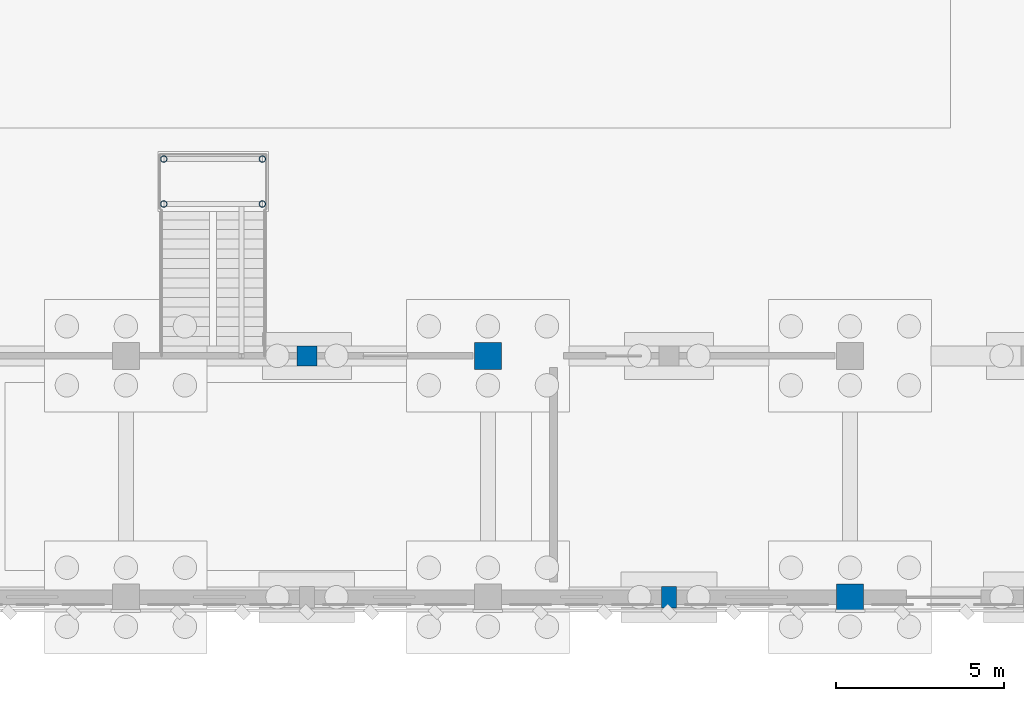
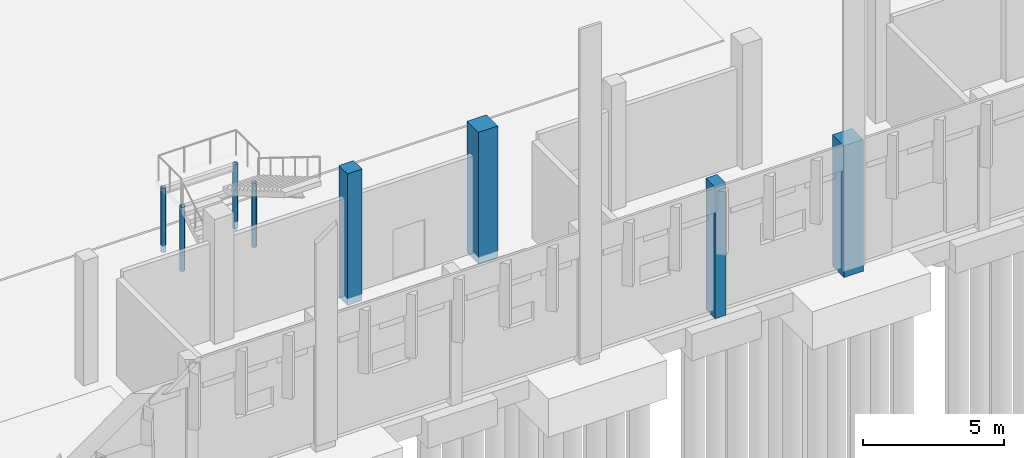
# One storey, part 14 of 109: 8 columns.
"""IFC4 building model written with IfcOpenShell, lengths in metres."""

from ifc_helpers import new_model, si_unit, direction, frame, origin, origin_2d, place, context, subcontext, project, spatial, rectangle, hollow_circle, extrude, material, material_profile, profile_set, type_object, element, save


model = new_model("IFC4")

# Units and contexts
model_context = context("Model", 3, precision=1e-05, world=origin(), true_north=direction((0.0, 1.0)))
body_context = subcontext(model_context, "Body", "Model", "MODEL_VIEW")
ifc_project = project(units=[si_unit("LENGTHUNIT", "METRE"), si_unit("AREAUNIT", "SQUARE_METRE"), si_unit("VOLUMEUNIT", "CUBIC_METRE"), si_unit("PLANEANGLEUNIT", "RADIAN"), si_unit("MASSUNIT", "GRAM", prefix="KILO")], contexts=[model_context])

# Site, building, storey
site_placement = place(None, origin())
site = spatial("IfcSite", under=ifc_project, at=site_placement, CompositionType="ELEMENT")
building_placement = place(site_placement, origin())
building = spatial("IfcBuilding", under=site, at=building_placement, Name="Lusvemor Sports Hall", CompositionType="ELEMENT")
storey_placement = place(building_placement, origin())
storey = spatial("IfcBuildingStorey", under=building, at=storey_placement, Name="L00", CompositionType="ELEMENT", Elevation=0.0)

# Columns
ifc_material_1 = material(Name="Concrete C40/50", Category="concrete")
ifc_material_profile_1 = material_profile(ifc_material_1, rectangle(XDim=0.800048828125, YDim=0.800048828125, at=origin_2d()), Name="RC800x800")
ifc_profile_set_1 = profile_set([ifc_material_profile_1], Name="Concrete C40/50")
column_type_1 = type_object("IfcColumnType", Name="COL_HALL_W", PredefinedType="COLUMN", material=ifc_profile_set_1)
for number, where, z_axis, x_axis, name in (
    (1, (43.199951171875, 7.199951171875, -0.300048828125), (0.0, 0.0, 1.0), (1.0, 0.0, 0.0), "Column 5/B (L00)"),
    (2, (54.0, 0.0, -0.300048828125), (0.0, 0.0, 1.0), (1.0, 0.0, 0.0), "Column 6/A (L00)"),
):
    element("IfcColumn", number, at=place(storey_placement, frame(where, z_axis=z_axis, x_axis=x_axis)), inside=storey, type_object=column_type_1, Name=name, PredefinedType="COLUMN", context=body_context, shape_type="SweptSolid", body=[
        extrude(rectangle(XDim=0.800048828125, YDim=0.800048828125, at=origin_2d()), origin(), (0.0, 0.0, 1.0), 5.699951171875),
    ])
ifc_material_2 = material(Name="Steel S355", Category="steel")
ifc_material_profile_2 = material_profile(ifc_material_2, hollow_circle(Radius=0.096923828125, WallThickness=0.010009765625, at=origin_2d()), Name="CHS193.7x10.0")
ifc_profile_set_2 = profile_set([ifc_material_profile_2], Name="Steel S355")
column_type_2 = type_object("IfcColumnType", Name="COL_STAIR_POST", PredefinedType="COLUMN", material=ifc_profile_set_2)
for number, where, z_axis, x_axis, name in (
    (3, (33.530029296875, 11.72998046875, -0.300048828125), (0.0, 0.0, 1.0), (1.0, 0.0, 0.0), "Feature Stair STR-V1-GAL-E Post 1"),
    (4, (36.469970703125, 11.72998046875, -0.300048828125), (0.0, 0.0, 1.0), (1.0, 0.0, 0.0), "Feature Stair STR-V1-GAL-E Post 2"),
    (5, (33.530029296875, 13.070068359375, -0.300048828125), (0.0, 0.0, 1.0), (1.0, 0.0, 0.0), "Feature Stair STR-V1-GAL-E Post 3"),
    (6, (36.469970703125, 13.070068359375, -0.300048828125), (0.0, 0.0, 1.0), (1.0, 0.0, 0.0), "Feature Stair STR-V1-GAL-E Post 4"),
):
    element("IfcColumn", number, at=place(storey_placement, frame(where, z_axis=z_axis, x_axis=x_axis)), inside=storey, type_object=column_type_2, Name=name, PredefinedType="COLUMN", context=body_context, shape_type="SweptSolid", body=[
        extrude(hollow_circle(Radius=0.096923828125, WallThickness=0.010009765625, at=origin_2d()), origin(), (0.0, 0.0, 1.0), 2.781982421875),
    ])
ifc_material_3 = material(Name="Concrete C40/50", Category="concrete")
ifc_material_profile_3 = material_profile(ifc_material_3, rectangle(XDim=0.60009765625, YDim=0.60009765625, at=origin_2d()), Name="RC600x600")
ifc_profile_set_3 = profile_set([ifc_material_profile_3], Name="Concrete C40/50")
column_type_3 = type_object("IfcColumnType", Name="COL_WING_L", PredefinedType="COLUMN", material=ifc_profile_set_3)
column_1_placement = place(storey_placement, frame((37.800048828125, 7.199951171875, -0.300048828125), z_axis=(0.0, 0.0, 1.0), x_axis=(1.0, 0.0, 0.0)))
element("IfcColumn", 7, at=column_1_placement, inside=storey, type_object=column_type_3, Name="Wave Mid-Bay Column S4 (L00)", PredefinedType="COLUMN", context=body_context, shape_type="SweptSolid", body=[
    extrude(rectangle(XDim=0.60009765625, YDim=0.60009765625, at=origin_2d()), origin(), (0.0, 0.0, 1.0), 5.699951171875),
])
ifc_material_4 = material(Name="Concrete C40/50", Category="concrete")
ifc_material_profile_4 = material_profile(ifc_material_4, rectangle(XDim=0.449951171875, YDim=0.64990234375, at=origin_2d()), Name="RC450x650")
ifc_profile_set_4 = profile_set([ifc_material_profile_4], Name="Concrete C40/50")
column_type_4 = type_object("IfcColumnType", Name="PIL_BOUL_E", PredefinedType="PILASTER", material=ifc_profile_set_4)
column_2_placement = place(storey_placement, frame((48.60009765625, 0.0, -0.300048828125), z_axis=(0.0, 0.0, 1.0), x_axis=(1.0, 0.0, 0.0)))
element("IfcColumn", 8, at=column_2_placement, inside=storey, type_object=column_type_4, Name="Boulevard Pilaster S4 (L00)", PredefinedType="PILASTER", context=body_context, shape_type="SweptSolid", body=[
    extrude(rectangle(XDim=0.449951171875, YDim=0.64990234375, at=origin_2d()), origin(), (0.0, 0.0, 1.0), 5.699951171875),
])

save(model, "model.ifc")
